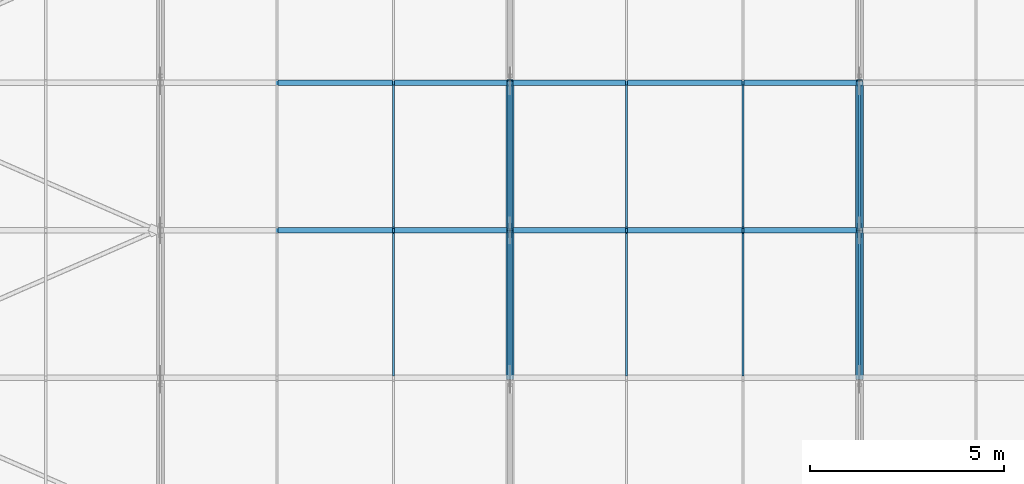
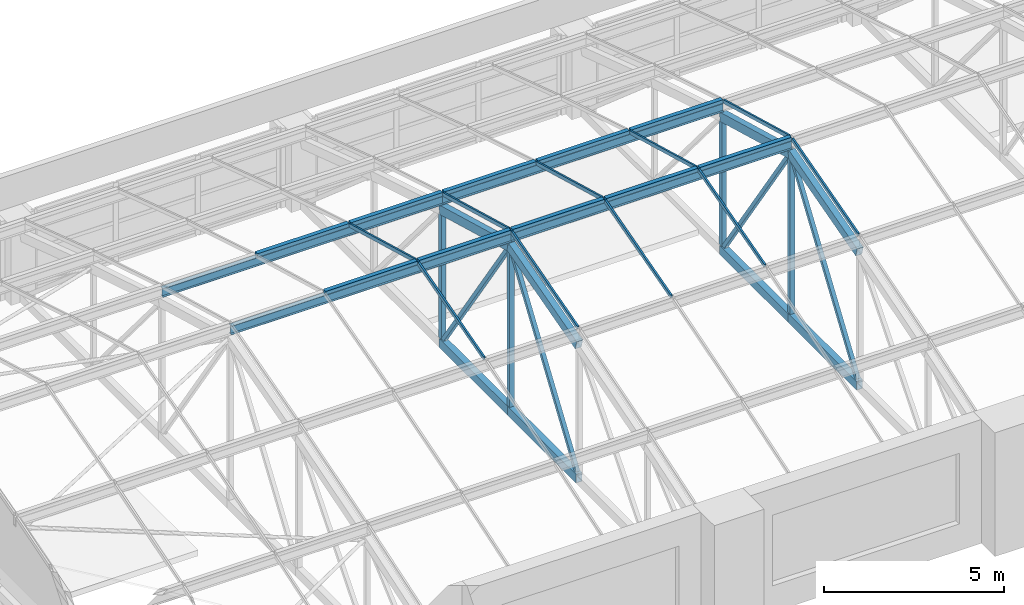
# One storey, part 11 of 82: 40 members, 1 element without a shape of its own.
"""IFC4 building model written with IfcOpenShell, lengths in metres."""

import ifcopenshell
import ifcopenshell.guid

model = None  # the IFC model being written
_history = None  # IfcOwnerHistory: only IFC2X3 demands one
_inside = {}  # id of a spatial element -> (the spatial element, [elements in it])
_under = {}  # id of a project, library or spatial element -> (it, [spatial elements below it])
_declared = {}  # id of a project -> (the project, [libraries it declares])
_typed = {}  # id of a type object -> (the type object, [elements of that type])
_made_of = {}  # id of a material, layer set ... -> (it, [elements and type objects made of it])


def new_model(schema):
    """Start an empty IFC model of exactly this schema.

    Asked for "IFC4X3", IfcOpenShell would pick the latest addendum, in which some entities
    have other attributes; the version numbers below select the first issue.
    IFC2X3 requires an IfcOwnerHistory on every rooted entity: one is made here for all.
    """
    global model, _history
    if schema == "IFC4X3":
        model = ifcopenshell.file(schema_version=(4, 3, 0, 0))
    else:
        model = ifcopenshell.file(schema=schema)
    _inside.clear()
    _under.clear()
    _declared.clear()
    _typed.clear()
    _made_of.clear()
    _history = None
    if model.schema == "IFC2X3":
        org = make("IfcOrganization", Name="unknown")
        user = make(
            "IfcPersonAndOrganization",
            ThePerson=make("IfcPerson", FamilyName="unknown"),
            TheOrganization=org,
        )
        app = make(
            "IfcApplication",
            ApplicationDeveloper=org,
            Version="unknown",
            ApplicationFullName="unknown",
            ApplicationIdentifier="unknown",
        )
        _history = make(
            "IfcOwnerHistory",
            OwningUser=user,
            OwningApplication=app,
            ChangeAction="ADDED",
            CreationDate=0,
        )
    return model


def make(cls, **values):
    """One entity of the class cls with the attributes given. An attribute that is None is left unset."""
    return model.create_entity(
        cls, **{name: value for name, value in values.items() if value is not None}
    )


def rooted(cls, **values):
    """An entity with a GlobalId (a new one), such as an element, a storey or a relation."""
    return make(cls, GlobalId=ifcopenshell.guid.new(), OwnerHistory=_history, **values)


def si_unit(unit_type, name, prefix=None):
    """IfcSIUnit, for example si_unit("LENGTHUNIT", "METRE", prefix="MILLI")."""
    return make("IfcSIUnit", UnitType=unit_type, Prefix=prefix, Name=name)


def assignment(units):
    """IfcUnitAssignment: the units of a project."""
    return None if units is None else make("IfcUnitAssignment", Units=units)


def point(xyz):
    """IfcCartesianPoint."""
    return None if xyz is None else make("IfcCartesianPoint", Coordinates=xyz)


def direction(xyz):
    """IfcDirection."""
    return None if xyz is None else make("IfcDirection", DirectionRatios=xyz)


def frame(location, z_axis=None, x_axis=None):
    """IfcAxis2Placement3D, a coordinate frame: its origin and axes. An axis left out is left unset."""
    return make(
        "IfcAxis2Placement3D",
        Location=point(location),
        Axis=direction(z_axis),
        RefDirection=direction(x_axis),
    )


def frame_2d(location, x_axis=None):
    """IfcAxis2Placement2D, a coordinate frame in the plane: its origin and x axis."""
    return make(
        "IfcAxis2Placement2D", Location=point(location), RefDirection=direction(x_axis)
    )


def origin():
    """The frame at (0, 0, 0) with its axes left unset."""
    return frame((0.0, 0.0, 0.0))


def origin_2d():
    """The frame at (0, 0) in the plane with its x axis left unset."""
    return frame_2d((0.0, 0.0))


def place(relative_to, where):
    """IfcLocalPlacement: puts the frame where relative to a parent placement (None: the world)."""
    return make(
        "IfcLocalPlacement", PlacementRelTo=relative_to, RelativePlacement=where
    )


def context(
    kind, dimensions, precision=None, world=None, true_north=None, identifier=None
):
    """IfcGeometricRepresentationContext, for example the 3D "Model" context."""
    return make(
        "IfcGeometricRepresentationContext",
        ContextIdentifier=identifier,
        ContextType=kind,
        CoordinateSpaceDimension=dimensions,
        Precision=precision,
        WorldCoordinateSystem=world,
        TrueNorth=true_north,
    )


def subcontext(parent, identifier, kind, view, scale=None):
    """IfcGeometricRepresentationSubContext, for example "Body" below "Model"."""
    return make(
        "IfcGeometricRepresentationSubContext",
        ContextIdentifier=identifier,
        ContextType=kind,
        ParentContext=parent,
        TargetScale=scale,
        TargetView=view,
    )


def project(units=None, contexts=None):
    """IfcProject with its units and contexts."""
    return rooted(
        "IfcProject",
        Name="project",
        RepresentationContexts=contexts,
        UnitsInContext=assignment(units),
    )


def spatial(cls, under=None, at=None, **own):
    """A site, building, storey or space (cls), placed at a placement, below another one or the project."""
    s = rooted(cls, ObjectPlacement=at, **own)
    if under is not None:
        _under.setdefault(under.id(), (under, []))[1].append(s)
    return s


def profile(cls, at=None, kind="AREA", **sizes):
    """A parametric profile (cls). Its sizes go by their IFC names, for example OverallWidth=200.0."""
    return make(cls, ProfileType=kind, Position=at, **sizes)


def rectangle(**sizes):
    """IfcRectangleProfileDef."""
    return profile("IfcRectangleProfileDef", **sizes)


def hollow_rectangle(**sizes):
    """IfcRectangleHollowProfileDef."""
    return profile("IfcRectangleHollowProfileDef", **sizes)


def i_section(**sizes):
    """IfcIShapeProfileDef."""
    return profile("IfcIShapeProfileDef", **sizes)


def extrude(swept, where, along, depth):
    """IfcExtrudedAreaSolid: the profile swept, set in the frame where, extruded along a direction by depth."""
    return make(
        "IfcExtrudedAreaSolid",
        SweptArea=swept,
        Position=where,
        ExtrudedDirection=direction(along),
        Depth=depth,
    )


def shape(context_of_items, identifier, shape_type, items):
    """IfcShapeRepresentation: the items that make up one representation, for example the "Body"."""
    return make(
        "IfcShapeRepresentation",
        ContextOfItems=context_of_items,
        RepresentationIdentifier=identifier,
        RepresentationType=shape_type,
        Items=items,
    )


def material(Name=None, Category=None):
    """IfcMaterial."""
    return make("IfcMaterial", Name=Name, Category=Category)


def material_profile(
    of_material, cross_section, Name=None, Category=None, Priority=None
):
    """IfcMaterialProfile: a cross section and its material."""
    return make(
        "IfcMaterialProfile",
        Name=Name,
        Material=of_material,
        Profile=cross_section,
        Priority=Priority,
        Category=Category,
    )


def profile_set(profiles, Name=None, composite=None):
    """IfcMaterialProfileSet."""
    return make(
        "IfcMaterialProfileSet",
        Name=Name,
        MaterialProfiles=profiles,
        CompositeProfile=composite,
    )


def made_of(thing, what):
    """Note that an element or type object is made of a material, layer set ...; save() writes the relation."""
    if what is not None:
        _made_of.setdefault(what.id(), (what, []))[1].append(thing)
    return thing


def type_object(cls, material=None, **own):
    """A type object (cls), such as IfcWallType, which elements share."""
    return made_of(rooted(cls, **own), material)


def element(
    cls,
    number,
    at=None,
    inside=None,
    cuts=None,
    type_object=None,
    material=None,
    context=None,
    identifier="Body",
    shape_type=None,
    held_by="IfcProductDefinitionShape",
    body=None,
    shapes=None,
    **own,
):
    """One element of the class cls, such as IfcWall. Its Tag is "e" and its number.

    at: its placement. inside: the storey or other place that contains it. cuts: it is an
    opening in that element (IfcRelVoidsElement). A single representation is given by context,
    identifier, shape_type and body (its items); several are given by shapes. held_by: the class
    of the entity that holds the representations. save() writes the other relations.
    """
    e = rooted(cls, Tag="e%d" % number, ObjectPlacement=at, **own)
    if body is not None:
        shapes = [shape(context, identifier, shape_type, body)]
    if shapes is not None:
        e.Representation = make(held_by, Representations=shapes)
    if inside is not None:
        _inside.setdefault(inside.id(), (inside, []))[1].append(e)
    if cuts is not None:
        rooted(
            "IfcRelVoidsElement", RelatingBuildingElement=cuts, RelatedOpeningElement=e
        )
    if type_object is not None:
        _typed.setdefault(type_object.id(), (type_object, []))[1].append(e)
    return made_of(e, material)


def aggregate(whole, parts):
    """IfcRelAggregates: a whole, such as a stair, and the parts it consists of."""
    return rooted("IfcRelAggregates", RelatingObject=whole, RelatedObjects=parts)


def save(model, path):
    """Write the relations noted so far, then the file.

    IfcRelAggregates (storeys below a building ...), IfcRelContainedInSpatialStructure (elements
    in a storey), IfcRelDefinesByType, IfcRelAssociatesMaterial and IfcRelDeclares: one each for
    every whole, place, type object, material and project.
    """
    for whole, parts in _under.values():
        aggregate(whole, parts)
    for where, things in _inside.values():
        rooted(
            "IfcRelContainedInSpatialStructure",
            RelatedElements=things,
            RelatingStructure=where,
        )
    for kind, things in _typed.values():
        rooted("IfcRelDefinesByType", RelatedObjects=things, RelatingType=kind)
    for what, things in _made_of.values():
        rooted("IfcRelAssociatesMaterial", RelatedObjects=things, RelatingMaterial=what)
    for by, libraries in _declared.values():
        rooted("IfcRelDeclares", RelatingContext=by, RelatedDefinitions=libraries)
    model.write(path)


model = new_model("IFC4")

# Units and contexts
model_context = context("Model", 3, precision=1e-05, world=origin(), true_north=direction((0.0, 1.0)))
body_context = subcontext(model_context, "Body", "Model", "MODEL_VIEW")
ifc_project = project(units=[si_unit("LENGTHUNIT", "METRE"), si_unit("AREAUNIT", "SQUARE_METRE"), si_unit("VOLUMEUNIT", "CUBIC_METRE"), si_unit("PLANEANGLEUNIT", "RADIAN"), si_unit("MASSUNIT", "GRAM", prefix="KILO")], contexts=[model_context])

# Site, building, storey
site_placement = place(None, origin())
site = spatial("IfcSite", under=ifc_project, at=site_placement, CompositionType="ELEMENT")
building_placement = place(site_placement, origin())
building = spatial("IfcBuilding", under=site, at=building_placement, Name="Aravalli Gate Trade Fair Centre", CompositionType="ELEMENT")
storey_placement = place(building_placement, frame((0.0, 0.0, 19.199951171875)))
storey = spatial("IfcBuildingStorey", under=building, at=storey_placement, Name="L04", CompositionType="ELEMENT", Elevation=19.199951171875)

# Members
ifc_material_1 = material(Name="Steel E350", Category="steel")
ifc_material_profile_1 = material_profile(ifc_material_1, i_section(OverallWidth=0.139892578125, OverallDepth=0.300048828125, WebThickness=0.0078125, FlangeThickness=0.01318359375, at=origin_2d()), Name="ISMB 300")
ifc_profile_set_1 = profile_set([ifc_material_profile_1], Name="Steel E350")
member_type_1 = type_object("IfcMemberType", Name="ISMB 300 roof purlin", PredefinedType="PURLIN", material=ifc_profile_set_1)
for number, where, z_axis, x_axis, name in (
    (1, (24.0, 121.10009765625, 6.030029296875), (1.0, 0.0, 0.0), (0.0, 1.0, 0.0), "Vault purlin 03-04 F3"),
    (2, (24.0, 124.89990234375, 4.999267578125), (1.0, 0.0, 0.0), (0.0, 1.0, 0.0), "Vault purlin 03-04 F4"),
    (3, (33.0, 121.10009765625, 6.030029296875), (1.0, 0.0, 0.0), (0.0, 1.0, 0.0), "Vault purlin 04-05 F3"),
    (4, (33.0, 124.89990234375, 4.999267578125), (1.0, 0.0, 0.0), (0.0, 1.0, 0.0), "Vault purlin 04-05 F4"),
):
    element("IfcMember", number, at=place(storey_placement, frame(where, z_axis=z_axis, x_axis=x_axis)), inside=storey, type_object=member_type_1, Name=name, PredefinedType="PURLIN", context=body_context, shape_type="SweptSolid", body=[
        extrude(i_section(OverallWidth=0.139892578125, OverallDepth=0.300048828125, WebThickness=0.0078125, FlangeThickness=0.01318359375, at=origin_2d()), origin(), (0.0, 0.0, 1.0), 9.0),
    ])
ifc_material_profile_2 = material_profile(ifc_material_1, hollow_rectangle(XDim=0.199951171875, YDim=0.300048828125, WallThickness=0.011962890625, at=origin_2d()), Name="RHS 300x200x12")
ifc_profile_set_2 = profile_set([ifc_material_profile_2], Name="Steel E350")
member_type_2 = type_object("IfcMemberType", Name="RHS 300x200x12 CT1 truss chord", PredefinedType="CHORD", material=ifc_profile_set_2)
member_1_placement = place(storey_placement, frame((33.0, 117.300048828125, 4.674560546875), z_axis=(0.0, 0.963894016224, 0.266286172166), x_axis=(-1.0, 0.0, 0.0)))
element("IfcMember", 5, at=member_1_placement, inside=storey, type_object=member_type_2, Name="Concourse vault truss CT1 line 04 top chord T3", PredefinedType="CHORD", context=body_context, shape_type="SweptSolid", body=[
    extrude(hollow_rectangle(XDim=0.199951171875, YDim=0.300048828125, WallThickness=0.011962890625, at=origin_2d()), origin(), (0.0, 0.0, 1.0), 3.9423828125),
])
member_2_placement = place(storey_placement, frame((33.0, 117.300048828125, 0.150146484375), z_axis=(0.0, 1.0, 0.0), x_axis=(-1.0, 0.0, 0.0)))
element("IfcMember", 6, at=member_2_placement, inside=storey, type_object=member_type_2, Name="Concourse vault truss CT1 line 04 bottom chord B3", PredefinedType="CHORD", context=body_context, shape_type="SweptSolid", body=[
    extrude(hollow_rectangle(XDim=0.199951171875, YDim=0.300048828125, WallThickness=0.011962890625, at=origin_2d()), origin(), (0.0, 0.0, 1.0), 3.800048828125),
])
member_3_placement = place(storey_placement, frame((33.0, 121.10009765625, 5.724365234375), z_axis=(0.0, 0.96388962469, -0.266302067988), x_axis=(-1.0, 0.0, 0.0)))
element("IfcMember", 7, at=member_3_placement, inside=storey, type_object=member_type_2, Name="Concourse vault truss CT1 line 04 top chord T4", PredefinedType="CHORD", context=body_context, shape_type="SweptSolid", body=[
    extrude(hollow_rectangle(XDim=0.199951171875, YDim=0.300048828125, WallThickness=0.011962890625, at=origin_2d()), origin(), (0.0, 0.0, 1.0), 3.942138671875),
])
member_4_placement = place(storey_placement, frame((33.0, 121.10009765625, 0.150146484375), z_axis=(0.0, 1.0, 0.0), x_axis=(-1.0, 0.0, 0.0)))
element("IfcMember", 8, at=member_4_placement, inside=storey, type_object=member_type_2, Name="Concourse vault truss CT1 line 04 bottom chord B4", PredefinedType="CHORD", context=body_context, shape_type="SweptSolid", body=[
    extrude(hollow_rectangle(XDim=0.199951171875, YDim=0.300048828125, WallThickness=0.011962890625, at=origin_2d()), origin(), (0.0, 0.0, 1.0), 3.7998046875),
])
member_5_placement = place(storey_placement, frame((42.0, 117.300048828125, 4.674560546875), z_axis=(0.0, 0.963894016224, 0.266286172166), x_axis=(-1.0, 0.0, 0.0)))
element("IfcMember", 9, at=member_5_placement, inside=storey, type_object=member_type_2, Name="Concourse vault truss CT1 line 05 top chord T3", PredefinedType="CHORD", context=body_context, shape_type="SweptSolid", body=[
    extrude(hollow_rectangle(XDim=0.199951171875, YDim=0.300048828125, WallThickness=0.011962890625, at=origin_2d()), origin(), (0.0, 0.0, 1.0), 3.9423828125),
])
member_6_placement = place(storey_placement, frame((42.0, 117.300048828125, 0.150146484375), z_axis=(0.0, 1.0, 0.0), x_axis=(-1.0, 0.0, 0.0)))
element("IfcMember", 10, at=member_6_placement, inside=storey, type_object=member_type_2, Name="Concourse vault truss CT1 line 05 bottom chord B3", PredefinedType="CHORD", context=body_context, shape_type="SweptSolid", body=[
    extrude(hollow_rectangle(XDim=0.199951171875, YDim=0.300048828125, WallThickness=0.011962890625, at=origin_2d()), origin(), (0.0, 0.0, 1.0), 3.800048828125),
])
member_7_placement = place(storey_placement, frame((42.0, 121.10009765625, 5.724365234375), z_axis=(0.0, 0.96388962469, -0.266302067988), x_axis=(-1.0, 0.0, 0.0)))
element("IfcMember", 11, at=member_7_placement, inside=storey, type_object=member_type_2, Name="Concourse vault truss CT1 line 05 top chord T4", PredefinedType="CHORD", context=body_context, shape_type="SweptSolid", body=[
    extrude(hollow_rectangle(XDim=0.199951171875, YDim=0.300048828125, WallThickness=0.011962890625, at=origin_2d()), origin(), (0.0, 0.0, 1.0), 3.942138671875),
])
member_8_placement = place(storey_placement, frame((42.0, 121.10009765625, 0.150146484375), z_axis=(0.0, 1.0, 0.0), x_axis=(-1.0, 0.0, 0.0)))
element("IfcMember", 12, at=member_8_placement, inside=storey, type_object=member_type_2, Name="Concourse vault truss CT1 line 05 bottom chord B4", PredefinedType="CHORD", context=body_context, shape_type="SweptSolid", body=[
    extrude(hollow_rectangle(XDim=0.199951171875, YDim=0.300048828125, WallThickness=0.011962890625, at=origin_2d()), origin(), (0.0, 0.0, 1.0), 3.7998046875),
])
ifc_material_profile_3 = material_profile(ifc_material_1, hollow_rectangle(XDim=0.125, YDim=0.125, WallThickness=0.006103515625, at=origin_2d()), Name="SHS 125x125x6")
ifc_profile_set_3 = profile_set([ifc_material_profile_3], Name="Steel E350")
member_type_3 = type_object("IfcMemberType", Name="SHS 125x125x6 CT1 truss diagonal", PredefinedType="BRACE", material=ifc_profile_set_3)
for number, where, z_axis, x_axis, name in (
    (13, (33.0, 117.40234375, 0.300048828125), (0.0, 0.5632471019, 0.826288510268), (-1.0, 0.0, 0.0), "Concourse vault truss CT1 line 04 diagonal D3"),
    (14, (33.0, 121.230712890625, 5.53271484375), (0.0, 0.5632471019, -0.826288510268), (-1.0, 0.0, 0.0), "Concourse vault truss CT1 line 04 diagonal D4"),
    (15, (42.0, 117.40234375, 0.300048828125), (0.0, 0.5632471019, 0.826288510268), (-1.0, 0.0, 0.0), "Concourse vault truss CT1 line 05 diagonal D3"),
    (16, (42.0, 121.230712890625, 5.53271484375), (0.0, 0.5632471019, -0.826288510268), (-1.0, 0.0, 0.0), "Concourse vault truss CT1 line 05 diagonal D4"),
):
    element("IfcMember", number, at=place(storey_placement, frame(where, z_axis=z_axis, x_axis=x_axis)), inside=storey, type_object=member_type_3, Name=name, PredefinedType="BRACE", context=body_context, shape_type="SweptSolid", body=[
        extrude(hollow_rectangle(XDim=0.125, YDim=0.125, WallThickness=0.006103515625, at=origin_2d()), origin(), (0.0, 0.0, 1.0), 6.332763671875),
    ])
ifc_material_profile_4 = material_profile(ifc_material_1, hollow_rectangle(XDim=0.14990234375, YDim=0.14990234375, WallThickness=0.006103515625, at=origin_2d()), Name="SHS 150x150x6")
ifc_profile_set_4 = profile_set([ifc_material_profile_4], Name="Steel E350")
member_type_4 = type_object("IfcMemberType", Name="SHS 150x150x6 CT1 truss post", PredefinedType="POST", material=ifc_profile_set_4)
member_9_placement = place(storey_placement, frame((33.0, 121.10009765625, 0.300048828125), z_axis=(0.0, 0.0, 1.0), x_axis=(1.0, 0.0, 0.0)))
element("IfcMember", 17, at=member_9_placement, inside=storey, type_object=member_type_4, Name="Concourse vault truss CT1 line 04 post V3", PredefinedType="POST", context=body_context, shape_type="SweptSolid", body=[
    extrude(hollow_rectangle(XDim=0.14990234375, YDim=0.14990234375, WallThickness=0.006103515625, at=origin_2d()), origin(), (0.0, 0.0, 1.0), 5.268798828125),
])
member_10_placement = place(storey_placement, frame((33.0, 124.89990234375, 0.300048828125), z_axis=(0.0, 0.0, 1.0), x_axis=(1.0, 0.0, 0.0)))
element("IfcMember", 18, at=member_10_placement, inside=storey, type_object=member_type_4, Name="Concourse vault truss CT1 line 04 post V4", PredefinedType="POST", context=body_context, shape_type="SweptSolid", body=[
    extrude(hollow_rectangle(XDim=0.14990234375, YDim=0.14990234375, WallThickness=0.006103515625, at=origin_2d()), origin(), (0.0, 0.0, 1.0), 4.216552734375),
])
member_11_placement = place(storey_placement, frame((42.0, 121.10009765625, 0.300048828125), z_axis=(0.0, 0.0, 1.0), x_axis=(1.0, 0.0, 0.0)))
element("IfcMember", 19, at=member_11_placement, inside=storey, type_object=member_type_4, Name="Concourse vault truss CT1 line 05 post V3", PredefinedType="POST", context=body_context, shape_type="SweptSolid", body=[
    extrude(hollow_rectangle(XDim=0.14990234375, YDim=0.14990234375, WallThickness=0.006103515625, at=origin_2d()), origin(), (0.0, 0.0, 1.0), 5.268798828125),
])
member_12_placement = place(storey_placement, frame((42.0, 124.89990234375, 0.300048828125), z_axis=(0.0, 0.0, 1.0), x_axis=(1.0, 0.0, 0.0)))
element("IfcMember", 20, at=member_12_placement, inside=storey, type_object=member_type_4, Name="Concourse vault truss CT1 line 05 post V4", PredefinedType="POST", context=body_context, shape_type="SweptSolid", body=[
    extrude(hollow_rectangle(XDim=0.14990234375, YDim=0.14990234375, WallThickness=0.006103515625, at=origin_2d()), origin(), (0.0, 0.0, 1.0), 4.216552734375),
])
ifc_material_2 = material(Name="Aluminium", Category="aluminium")
ifc_material_profile_5 = material_profile(ifc_material_2, rectangle(XDim=0.139892578125, YDim=0.1201171875, at=origin_2d()), Name="Vault fold cap 140 x 120")
ifc_profile_set_5 = profile_set([ifc_material_profile_5], Name="Aluminium")
member_type_5 = type_object("IfcMemberType", Name="Vault fold cap 140 x 120", PredefinedType="USERDEFINED", material=ifc_profile_set_5)
for number, where, z_axis, x_axis, name in (
    (21, (27.030029296875, 121.10009765625, 6.239990234375), (1.0, 0.0, 0.0), (0.0, 1.0, 0.0), "Vault fold cap w5.3"),
    (22, (27.030029296875, 124.89990234375, 5.209228515625), (1.0, 0.0, 0.0), (0.0, 1.0, 0.0), "Vault fold cap w5.4"),
    (23, (30.030029296875, 121.10009765625, 6.239990234375), (1.0, 0.0, 0.0), (0.0, 1.0, 0.0), "Vault fold cap w6.3"),
    (24, (30.030029296875, 124.89990234375, 5.209228515625), (1.0, 0.0, 0.0), (0.0, 1.0, 0.0), "Vault fold cap w6.4"),
    (25, (33.030029296875, 121.10009765625, 6.239990234375), (1.0, 0.0, 0.0), (0.0, 1.0, 0.0), "Vault fold cap w7.3"),
    (26, (33.030029296875, 124.89990234375, 5.209228515625), (1.0, 0.0, 0.0), (0.0, 1.0, 0.0), "Vault fold cap w7.4"),
    (27, (36.030029296875, 121.10009765625, 6.239990234375), (1.0, 0.0, 0.0), (0.0, 1.0, 0.0), "Vault fold cap w8.3"),
    (28, (36.030029296875, 124.89990234375, 5.209228515625), (1.0, 0.0, 0.0), (0.0, 1.0, 0.0), "Vault fold cap w8.4"),
    (29, (39.030029296875, 121.10009765625, 6.239990234375), (1.0, 0.0, 0.0), (0.0, 1.0, 0.0), "Vault fold cap w9.3"),
    (30, (39.030029296875, 124.89990234375, 5.209228515625), (1.0, 0.0, 0.0), (0.0, 1.0, 0.0), "Vault fold cap w9.4"),
):
    element("IfcMember", number, at=place(storey_placement, frame(where, z_axis=z_axis, x_axis=x_axis)), inside=storey, type_object=member_type_5, Name=name, ObjectType="FOLD CAP", PredefinedType="USERDEFINED", context=body_context, shape_type="SweptSolid", body=[
        extrude(rectangle(XDim=0.139892578125, YDim=0.1201171875, at=origin_2d()), origin(), (0.0, 0.0, 1.0), 2.93994140625),
    ])

# Curtain wall, members
ifc_material_3 = material(Name="Aluminium and glass", Category="aluminium")
curtain_wall_type = type_object("IfcCurtainWallType", Name="Vault curtain wall, sloped glazing", PredefinedType="NOTDEFINED", material=ifc_material_3)
curtain_wall_placement = place(storey_placement, origin())
curtain_wall = element("IfcCurtainWall", 31, at=curtain_wall_placement, inside=storey, type_object=curtain_wall_type, Name="Vault curtain wall w", PredefinedType="NOTDEFINED")
ifc_material_profile_6 = material_profile(ifc_material_2, rectangle(XDim=0.06005859375, YDim=0.1201171875, at=origin_2d()), Name="Vault glazing bar 60 x 120")
ifc_profile_set_6 = profile_set([ifc_material_profile_6], Name="Aluminium")
member_type_6 = type_object("IfcMemberType", Name="Vault glazing bar 60 x 120", PredefinedType="USERDEFINED", material=ifc_profile_set_6)
member_13_placement = place(storey_placement, frame((30.0, 117.3701171875, 5.20703125), z_axis=(0.0, 0.96386804037, 0.266380180859), x_axis=(-1.0, 0.0, 0.0)))
member_13 = element("IfcMember", 32, at=member_13_placement, type_object=member_type_6, Name="Vault glazing bar w6.3", ObjectType="GLAZING BAR", PredefinedType="USERDEFINED", context=body_context, shape_type="SweptSolid", body=[
    extrude(rectangle(XDim=0.06005859375, YDim=0.1201171875, at=origin_2d()), origin(), (0.0, 0.0, 1.0), 3.797119140625),
])
member_14_placement = place(storey_placement, frame((30.0, 121.169921875, 6.218505859375), z_axis=(0.0, 0.963872602318, -0.266363673386), x_axis=(-1.0, 0.0, 0.0)))
member_14 = element("IfcMember", 33, at=member_14_placement, type_object=member_type_6, Name="Vault glazing bar w6.4", ObjectType="GLAZING BAR", PredefinedType="USERDEFINED", context=body_context, shape_type="SweptSolid", body=[
    extrude(rectangle(XDim=0.06005859375, YDim=0.1201171875, at=origin_2d()), origin(), (0.0, 0.0, 1.0), 3.79736328125),
])
member_15_placement = place(storey_placement, frame((33.0, 117.3701171875, 5.20703125), z_axis=(0.0, 0.96386804037, 0.266380180859), x_axis=(-1.0, 0.0, 0.0)))
member_15 = element("IfcMember", 34, at=member_15_placement, type_object=member_type_6, Name="Vault glazing bar w7.3", ObjectType="GLAZING BAR", PredefinedType="USERDEFINED", context=body_context, shape_type="SweptSolid", body=[
    extrude(rectangle(XDim=0.06005859375, YDim=0.1201171875, at=origin_2d()), origin(), (0.0, 0.0, 1.0), 3.797119140625),
])
member_16_placement = place(storey_placement, frame((33.0, 121.169921875, 6.218505859375), z_axis=(0.0, 0.963872602318, -0.266363673386), x_axis=(-1.0, 0.0, 0.0)))
member_16 = element("IfcMember", 35, at=member_16_placement, type_object=member_type_6, Name="Vault glazing bar w7.4", ObjectType="GLAZING BAR", PredefinedType="USERDEFINED", context=body_context, shape_type="SweptSolid", body=[
    extrude(rectangle(XDim=0.06005859375, YDim=0.1201171875, at=origin_2d()), origin(), (0.0, 0.0, 1.0), 3.79736328125),
])
member_17_placement = place(storey_placement, frame((36.0, 117.3701171875, 5.20703125), z_axis=(0.0, 0.96386804037, 0.266380180859), x_axis=(-1.0, 0.0, 0.0)))
member_17 = element("IfcMember", 36, at=member_17_placement, type_object=member_type_6, Name="Vault glazing bar w8.3", ObjectType="GLAZING BAR", PredefinedType="USERDEFINED", context=body_context, shape_type="SweptSolid", body=[
    extrude(rectangle(XDim=0.06005859375, YDim=0.1201171875, at=origin_2d()), origin(), (0.0, 0.0, 1.0), 3.797119140625),
])
member_18_placement = place(storey_placement, frame((36.0, 121.169921875, 6.218505859375), z_axis=(0.0, 0.963872602318, -0.266363673386), x_axis=(-1.0, 0.0, 0.0)))
member_18 = element("IfcMember", 37, at=member_18_placement, type_object=member_type_6, Name="Vault glazing bar w8.4", ObjectType="GLAZING BAR", PredefinedType="USERDEFINED", context=body_context, shape_type="SweptSolid", body=[
    extrude(rectangle(XDim=0.06005859375, YDim=0.1201171875, at=origin_2d()), origin(), (0.0, 0.0, 1.0), 3.79736328125),
])
member_19_placement = place(storey_placement, frame((39.0, 117.3701171875, 5.20703125), z_axis=(0.0, 0.96386804037, 0.266380180859), x_axis=(-1.0, 0.0, 0.0)))
member_19 = element("IfcMember", 38, at=member_19_placement, type_object=member_type_6, Name="Vault glazing bar w9.3", ObjectType="GLAZING BAR", PredefinedType="USERDEFINED", context=body_context, shape_type="SweptSolid", body=[
    extrude(rectangle(XDim=0.06005859375, YDim=0.1201171875, at=origin_2d()), origin(), (0.0, 0.0, 1.0), 3.797119140625),
])
member_20_placement = place(storey_placement, frame((39.0, 121.169921875, 6.218505859375), z_axis=(0.0, 0.963872602318, -0.266363673386), x_axis=(-1.0, 0.0, 0.0)))
member_20 = element("IfcMember", 39, at=member_20_placement, type_object=member_type_6, Name="Vault glazing bar w9.4", ObjectType="GLAZING BAR", PredefinedType="USERDEFINED", context=body_context, shape_type="SweptSolid", body=[
    extrude(rectangle(XDim=0.06005859375, YDim=0.1201171875, at=origin_2d()), origin(), (0.0, 0.0, 1.0), 3.79736328125),
])
member_21_placement = place(storey_placement, frame((42.0, 117.3701171875, 5.20703125), z_axis=(0.0, 0.96386804037, 0.266380180859), x_axis=(-1.0, 0.0, 0.0)))
member_21 = element("IfcMember", 40, at=member_21_placement, type_object=member_type_6, Name="Vault glazing bar w10.3", ObjectType="GLAZING BAR", PredefinedType="USERDEFINED", context=body_context, shape_type="SweptSolid", body=[
    extrude(rectangle(XDim=0.06005859375, YDim=0.1201171875, at=origin_2d()), origin(), (0.0, 0.0, 1.0), 3.797119140625),
])
member_22_placement = place(storey_placement, frame((42.0, 121.169921875, 6.218505859375), z_axis=(0.0, 0.963872602318, -0.266363673386), x_axis=(-1.0, 0.0, 0.0)))
member_22 = element("IfcMember", 41, at=member_22_placement, type_object=member_type_6, Name="Vault glazing bar w10.4", ObjectType="GLAZING BAR", PredefinedType="USERDEFINED", context=body_context, shape_type="SweptSolid", body=[
    extrude(rectangle(XDim=0.06005859375, YDim=0.1201171875, at=origin_2d()), origin(), (0.0, 0.0, 1.0), 3.79736328125),
])
aggregate(curtain_wall, [member_13, member_14, member_15, member_16, member_17, member_18, member_19, member_20, member_21, member_22])

save(model, "model.ifc")
